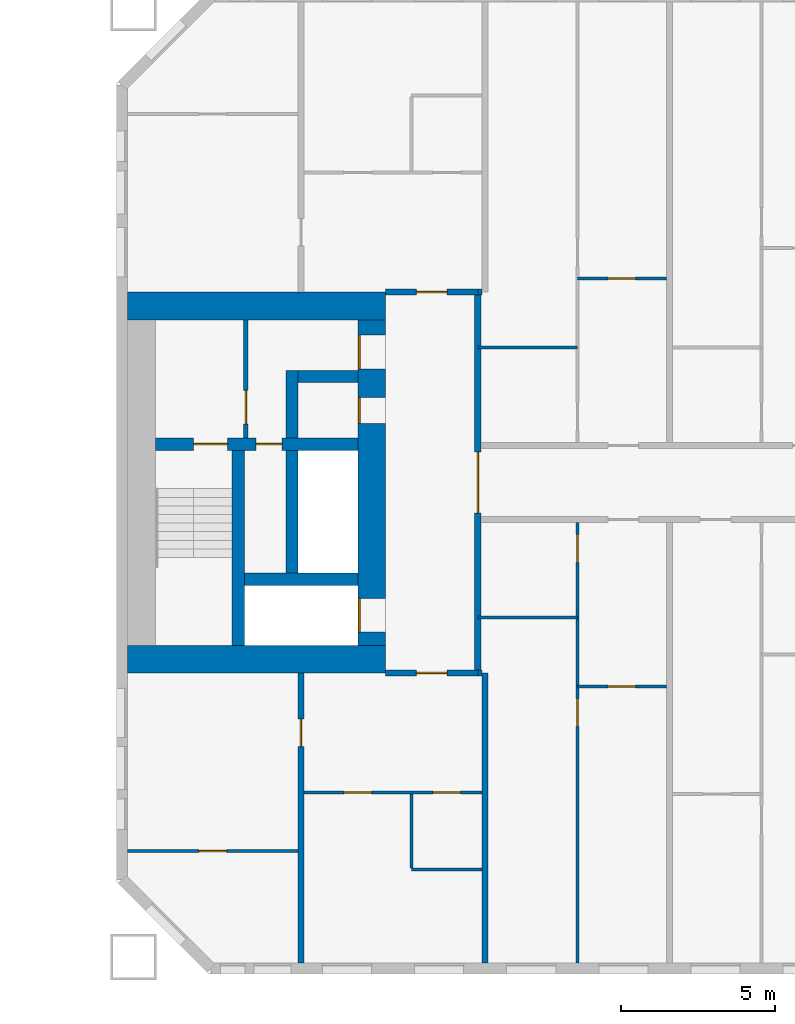
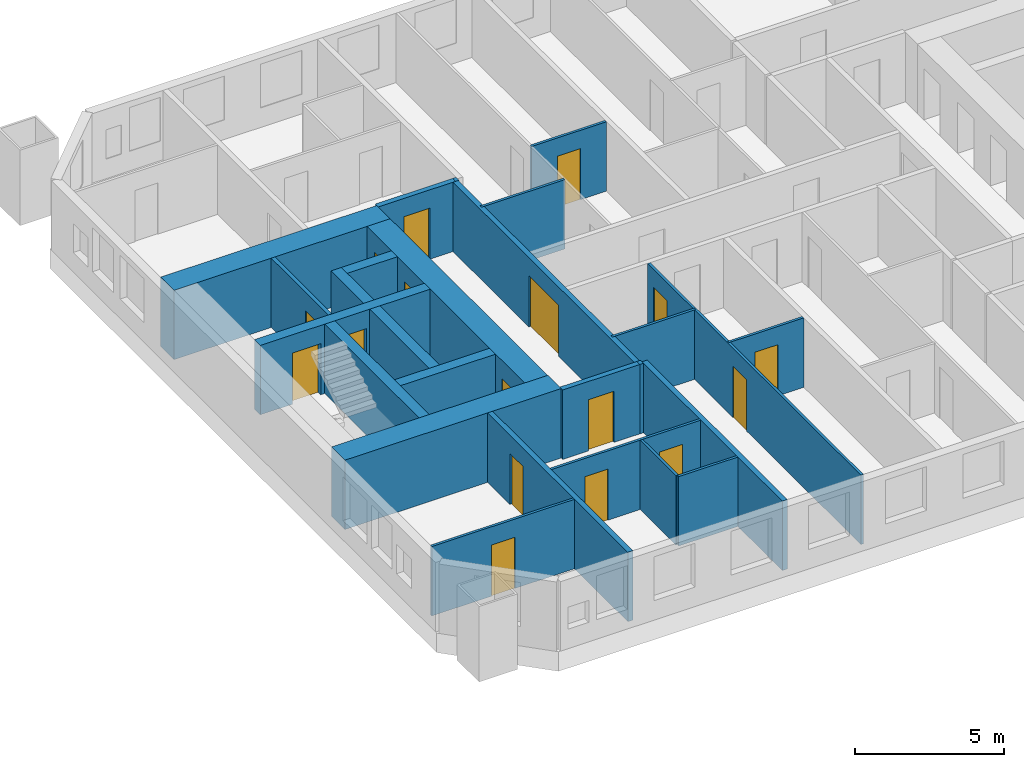
# One storey, part 9 of 16: 26 walls, 17 doors, 17 openings.
"""IFC4 building model written with IfcOpenShell, lengths in metres."""

from ifc_helpers import new_model, si_unit, direction, frame, frame_2d, origin, place, context, subcontext, project, spatial, rectangle, extrude, material, layer, layer_set, type_object, element, fill, save


model = new_model("IFC4")

# Units and contexts
model_context = context("Model", 3, precision=1e-05, world=origin(), true_north=direction((0.0, 1.0)))
body_context = subcontext(model_context, "Body", "Model", "MODEL_VIEW")
ifc_project = project(units=[si_unit("LENGTHUNIT", "METRE"), si_unit("AREAUNIT", "SQUARE_METRE"), si_unit("VOLUMEUNIT", "CUBIC_METRE"), si_unit("PLANEANGLEUNIT", "RADIAN"), si_unit("MASSUNIT", "GRAM", prefix="KILO")], contexts=[model_context])

# Site, building, storey
site_placement = place(None, origin())
site = spatial("IfcSite", under=ifc_project, at=site_placement, CompositionType="ELEMENT")
building_placement = place(site_placement, origin())
building = spatial("IfcBuilding", under=site, at=building_placement, Name="Tuart Gate Housing", CompositionType="ELEMENT")
storey_placement = place(building_placement, frame((0.0, 0.0, 19.5)))
storey = spatial("IfcBuildingStorey", under=building, at=storey_placement, Name="L04", CompositionType="ELEMENT", Elevation=19.5)

# Wall, opening, door
ifc_material_1 = material(Name="Plasterboard partition")
ifc_layer_1 = layer(ifc_material_1, 0.14990234375)
ifc_layer_set_1 = layer_set([ifc_layer_1], Name="Core partition 150")
wall_type_1 = type_object("IfcWallType", Name="Core partition 150", PredefinedType="PARTITIONING", material=ifc_layer_set_1)
wall_1_placement = place(storey_placement, frame((135.2099609375, 71.449951171875, 0.0), z_axis=(0.0, 0.0, 1.0), x_axis=(0.0, 1.0, 0.0)))
wall_1 = element("IfcWall", 1, at=wall_1_placement, inside=storey, type_object=wall_type_1, Name="Core partition BG.6", PredefinedType="PARTITIONING", context=body_context, shape_type="SweptSolid", body=[
    extrude(rectangle(XDim=3.85009765625, YDim=0.14990234375, at=frame_2d((1.925048828125, 0.0))), origin(), (0.0, 0.0, 1.0), 2.85009765625),
])
opening_1_placement = place(wall_1_placement, frame((0.449951171875, 0.0, 0.0)))
opening_1 = element("IfcOpeningElement", 2, at=opening_1_placement, cuts=wall_1, Name="Opening D429", PredefinedType="OPENING", context=body_context, shape_type="SweptSolid", body=[
    extrude(rectangle(XDim=1.10009765625, YDim=2.10009765625, at=frame_2d((0.550048828125, 1.050048828125))), frame((0.0, 0.0849609375, 0.0), z_axis=(0.0, -1.0, 0.0), x_axis=(1.0, 0.0, 0.0)), (0.0, 0.0, 1.0), 0.169921875),
])
ifc_material_2 = material(Name="Steel fire door", Category="steel")
door_type_1 = type_object("IfcDoorType", Name="Lobby door 1100 x 2100", OperationType="SINGLE_SWING_LEFT", PredefinedType="DOOR", material=ifc_material_2)
door_1_placement = place(opening_1_placement, origin())
door_1 = element("IfcDoor", 3, at=door_1_placement, inside=storey, type_object=door_type_1, Name="Smoke lobby door BG.KD", OperationType="SINGLE_SWING_LEFT", OverallHeight=2.10009765625, OverallWidth=1.10009765625, PredefinedType="DOOR", context=body_context, shape_type="SweptSolid", body=[
    extrude(rectangle(XDim=1.10009765625, YDim=2.10009765625, at=frame_2d((0.550048828125, 1.050048828125))), frame((0.0, 0.02490234375, 0.0), z_axis=(0.0, -1.0, 0.0), x_axis=(1.0, 0.0, 0.0)), (0.0, 0.0, 1.0), 0.050048828125),
])
fill(opening_1, door_1)

# Wall
ifc_material_3 = material(Name="Concrete C60", Category="concrete")
ifc_layer_2 = layer(ifc_material_3, 0.39990234375)
ifc_layer_set_2 = layer_set([ifc_layer_2], Name="Core wall 400 C60")
wall_type_2 = type_object("IfcWallType", Name="Core wall 400 C60", PredefinedType="SHEAR", material=ifc_layer_set_2)
wall_2_placement = place(storey_placement, frame((138.860107421875, 66.85009765625, 0.0), z_axis=(0.0, 0.0, 1.0), x_axis=(-1.0, 0.0, 0.0)))
element("IfcWall", 4, at=wall_2_placement, inside=storey, type_object=wall_type_2, Name="Core wall BG.1", PredefinedType="SHEAR", context=body_context, shape_type="SweptSolid", body=[
    extrude(rectangle(XDim=3.7001953125, YDim=0.39990234375, at=frame_2d((1.85009765625, 0.0))), origin(), (0.0, 0.0, 1.0), 2.85009765625),
])

# Wall, openings, doors
wall_3_placement = place(storey_placement, frame((138.860107421875, 71.25, 0.0), z_axis=(0.0, 0.0, 1.0), x_axis=(-1.0, 0.0, 0.0)))
wall_3 = element("IfcWall", 5, at=wall_3_placement, inside=storey, type_object=wall_type_2, Name="Core wall BG.2", PredefinedType="SHEAR", context=body_context, shape_type="SweptSolid", body=[
    extrude(rectangle(XDim=6.60009765625, YDim=0.39990234375, at=frame_2d((3.300048828125, 0.0))), origin(), (0.0, 0.0, 1.0), 2.85009765625),
])
opening_2_placement = place(wall_3_placement, frame((4.25, 0.0, 0.0)))
opening_2 = element("IfcOpeningElement", 6, at=opening_2_placement, cuts=wall_3, Name="Opening D431", PredefinedType="OPENING", context=body_context, shape_type="SweptSolid", body=[
    extrude(rectangle(XDim=1.10009765625, YDim=2.10009765625, at=frame_2d((0.550048828125, 1.050048828125))), frame((0.0, 0.2099609375, 0.0), z_axis=(0.0, -1.0, 0.0), x_axis=(1.0, 0.0, 0.0)), (0.0, 0.0, 1.0), 0.419921875),
])
opening_3_placement = place(wall_3_placement, frame((2.47509765625, 0.0, 0.0)))
opening_3 = element("IfcOpeningElement", 7, at=opening_3_placement, cuts=wall_3, Name="Opening D430", PredefinedType="OPENING", context=body_context, shape_type="SweptSolid", body=[
    extrude(rectangle(XDim=0.85009765625, YDim=2.10009765625, at=frame_2d((0.425048828125, 1.050048828125))), frame((0.0, 0.2099609375, 0.0), z_axis=(0.0, -1.0, 0.0), x_axis=(1.0, 0.0, 0.0)), (0.0, 0.0, 1.0), 0.419921875),
])
ifc_material_4 = material(Name="Steel fire door", Category="steel")
door_type_2 = type_object("IfcDoorType", Name="Riser door 850 x 2100", OperationType="SINGLE_SWING_LEFT", PredefinedType="DOOR", material=ifc_material_4)
door_2_placement = place(opening_3_placement, origin())
door_2 = element("IfcDoor", 8, at=door_2_placement, inside=storey, type_object=door_type_2, Name="Service room door BG.W1", OperationType="SINGLE_SWING_LEFT", OverallHeight=2.10009765625, OverallWidth=0.85009765625, PredefinedType="DOOR", context=body_context, shape_type="SweptSolid", body=[
    extrude(rectangle(XDim=0.85009765625, YDim=2.10009765625, at=frame_2d((0.425048828125, 1.050048828125))), frame((0.0, 0.02490234375, 0.0), z_axis=(0.0, -1.0, 0.0), x_axis=(1.0, 0.0, 0.0)), (0.0, 0.0, 1.0), 0.050048828125),
])
fill(opening_3, door_2)
ifc_material_5 = material(Name="Steel fire door", Category="steel")
door_type_3 = type_object("IfcDoorType", Name="Stair door 1100 x 2100", OperationType="SINGLE_SWING_LEFT", PredefinedType="DOOR", material=ifc_material_5)
door_3_placement = place(opening_2_placement, origin())
door_3 = element("IfcDoor", 9, at=door_3_placement, inside=storey, type_object=door_type_3, Name="Stair door BG.SD", OperationType="SINGLE_SWING_LEFT", OverallHeight=2.10009765625, OverallWidth=1.10009765625, PredefinedType="DOOR", context=body_context, shape_type="SweptSolid", body=[
    extrude(rectangle(XDim=1.10009765625, YDim=2.10009765625, at=frame_2d((0.550048828125, 1.050048828125))), frame((0.0, 0.02490234375, 0.0), z_axis=(0.0, -1.0, 0.0), x_axis=(1.0, 0.0, 0.0)), (0.0, 0.0, 1.0), 0.050048828125),
])
fill(opening_2, door_3)

# Walls
wall_4_placement = place(storey_placement, frame((138.860107421875, 73.449951171875, 0.0), z_axis=(0.0, 0.0, 1.0), x_axis=(-1.0, 0.0, 0.0)))
element("IfcWall", 10, at=wall_4_placement, inside=storey, type_object=wall_type_2, Name="Core wall BG.3", PredefinedType="SHEAR", context=body_context, shape_type="SweptSolid", body=[
    extrude(rectangle(XDim=1.9501953125, YDim=0.39990234375, at=frame_2d((0.97509765625, 0.0))), origin(), (0.0, 0.0, 1.0), 2.85009765625),
])
wall_5_placement = place(storey_placement, frame((136.7099609375, 67.050048828125, 0.0), z_axis=(0.0, 0.0, 1.0), x_axis=(0.0, 1.0, 0.0)))
element("IfcWall", 11, at=wall_5_placement, inside=storey, type_object=wall_type_2, Name="Core wall BG.4", PredefinedType="SHEAR", context=body_context, shape_type="SweptSolid", body=[
    extrude(rectangle(XDim=4.0, YDim=0.39990234375, at=frame_2d((2.0, 0.0))), origin(), (0.0, 0.0, 1.0), 2.85009765625),
])
wall_6_placement = place(storey_placement, frame((136.7099609375, 71.449951171875, 0.0), z_axis=(0.0, 0.0, 1.0), x_axis=(0.0, 1.0, 0.0)))
element("IfcWall", 12, at=wall_6_placement, inside=storey, type_object=wall_type_2, Name="Core wall BG.5", PredefinedType="SHEAR", context=body_context, shape_type="SweptSolid", body=[
    extrude(rectangle(XDim=2.199951171875, YDim=0.39990234375, at=frame_2d((1.10009765625, 0.0))), origin(), (0.0, 0.0, 1.0), 2.85009765625),
])
wall_7_placement = place(storey_placement, frame((134.9599609375, 64.699951171875, 0.0), z_axis=(0.0, 0.0, 1.0), x_axis=(0.0, 1.0, 0.0)))
element("IfcWall", 13, at=wall_7_placement, inside=storey, type_object=wall_type_2, Name="Core wall BG.7", PredefinedType="SHEAR", context=body_context, shape_type="SweptSolid", body=[
    extrude(rectangle(XDim=6.35009765625, YDim=0.39990234375, at=frame_2d((3.175048828125, 0.0))), origin(), (0.0, 0.0, 1.0), 2.85009765625),
])

# Wall, openings, doors
ifc_material_6 = material(Name="Concrete C60", Category="concrete")
ifc_layer_3 = layer(ifc_material_6, 0.89990234375)
ifc_layer_set_3 = layer_set([ifc_layer_3], Name="Core wall 900 C60")
wall_type_3 = type_object("IfcWallType", Name="Core wall 900 C60", PredefinedType="SHEAR", material=ifc_layer_set_3)
wall_8_placement = place(storey_placement, frame((139.31005859375, 64.699951171875, 0.0), z_axis=(0.0, 0.0, 1.0), x_axis=(0.0, 1.0, 0.0)))
wall_8 = element("IfcWall", 14, at=wall_8_placement, inside=storey, type_object=wall_type_3, Name="Core wall BG front", PredefinedType="SHEAR", context=body_context, shape_type="SweptSolid", body=[
    extrude(rectangle(XDim=10.60009765625, YDim=0.89990234375, at=frame_2d((5.300048828125, 0.0))), origin(), (0.0, 0.0, 1.0), 2.85009765625),
])
opening_4_placement = place(wall_8_placement, frame((0.425048828125, 0.0, 0.0)))
opening_4 = element("IfcOpeningElement", 15, at=opening_4_placement, cuts=wall_8, Name="Opening LD-FB1", PredefinedType="OPENING", context=body_context, shape_type="SweptSolid", body=[
    extrude(rectangle(XDim=1.10009765625, YDim=2.10009765625, at=frame_2d((0.550048828125, 1.050048828125))), frame((0.0, 0.4599609375, 0.0), z_axis=(0.0, -1.0, 0.0), x_axis=(1.0, 0.0, 0.0)), (0.0, 0.0, 1.0), 0.919921875),
])
opening_5_placement = place(wall_8_placement, frame((9.0, 0.0, 0.0)))
opening_5 = element("IfcOpeningElement", 16, at=opening_5_placement, cuts=wall_8, Name="Opening D435", PredefinedType="OPENING", context=body_context, shape_type="SweptSolid", body=[
    extrude(rectangle(XDim=1.10009765625, YDim=2.10009765625, at=frame_2d((0.550048828125, 1.050048828125))), frame((0.0, 0.4599609375, 0.0), z_axis=(0.0, -1.0, 0.0), x_axis=(1.0, 0.0, 0.0)), (0.0, 0.0, 1.0), 0.919921875),
])
opening_6_placement = place(wall_8_placement, frame((7.22509765625, 0.0, 0.0)))
opening_6 = element("IfcOpeningElement", 17, at=opening_6_placement, cuts=wall_8, Name="Opening D436", PredefinedType="OPENING", context=body_context, shape_type="SweptSolid", body=[
    extrude(rectangle(XDim=0.85009765625, YDim=2.10009765625, at=frame_2d((0.425048828125, 1.050048828125))), frame((0.0, 0.4599609375, 0.0), z_axis=(0.0, -1.0, 0.0), x_axis=(1.0, 0.0, 0.0)), (0.0, 0.0, 1.0), 0.919921875),
])
ifc_material_7 = material(Name="Stainless steel", Category="steel")
door_type_4 = type_object("IfcDoorType", Name="Landing door 1100 x 2100", OperationType="DOUBLE_DOOR_SLIDING", PredefinedType="DOOR", material=ifc_material_7)
door_4_placement = place(opening_4_placement, origin())
door_4 = element("IfcDoor", 18, at=door_4_placement, inside=storey, type_object=door_type_4, Name="Lift landing door FB1", OperationType="DOUBLE_DOOR_SLIDING", OverallHeight=2.10009765625, OverallWidth=1.10009765625, PredefinedType="DOOR", context=body_context, shape_type="SweptSolid", body=[
    extrude(rectangle(XDim=1.10009765625, YDim=2.10009765625, at=frame_2d((0.550048828125, 1.050048828125))), frame((0.0, 0.43505859375, 0.0), z_axis=(0.0, -1.0, 0.0), x_axis=(1.0, 0.0, 0.0)), (0.0, 0.0, 1.0), 0.050048828125),
])
fill(opening_4, door_4)
door_5_placement = place(opening_5_placement, origin())
door_5 = element("IfcDoor", 19, at=door_5_placement, inside=storey, type_object=door_type_1, Name="Lobby entry door BG.EN", OperationType="SINGLE_SWING_LEFT", OverallHeight=2.10009765625, OverallWidth=1.10009765625, PredefinedType="DOOR", context=body_context, shape_type="SweptSolid", body=[
    extrude(rectangle(XDim=1.10009765625, YDim=2.10009765625, at=frame_2d((0.550048828125, 1.050048828125))), frame((0.0, 0.43505859375, 0.0), z_axis=(0.0, -1.0, 0.0), x_axis=(1.0, 0.0, 0.0)), (0.0, 0.0, 1.0), 0.050048828125),
])
fill(opening_5, door_5)
ifc_material_8 = material(Name="Steel fire door", Category="steel")
door_type_5 = type_object("IfcDoorType", Name="Service door 850 x 2100", OperationType="SINGLE_SWING_LEFT", PredefinedType="DOOR", material=ifc_material_8)
door_6_placement = place(opening_6_placement, origin())
door_6 = element("IfcDoor", 20, at=door_6_placement, inside=storey, type_object=door_type_5, Name="Service room door BG.T1", OperationType="SINGLE_SWING_LEFT", OverallHeight=2.10009765625, OverallWidth=0.85009765625, PredefinedType="DOOR", context=body_context, shape_type="SweptSolid", body=[
    extrude(rectangle(XDim=0.85009765625, YDim=2.10009765625, at=frame_2d((0.425048828125, 1.050048828125))), frame((0.0, 0.43505859375, 0.0), z_axis=(0.0, -1.0, 0.0), x_axis=(1.0, 0.0, 0.0)), (0.0, 0.0, 1.0), 0.050048828125),
])
fill(opening_6, door_6)

# Walls
for number, where, z_axis, x_axis, name in (
    (21, (139.760009765625, 64.25, 0.0), (0.0, 0.0, 1.0), (-1.0, 0.0, 0.0), "Core wall BG south"),
    (22, (139.760009765625, 75.75, 0.0), (0.0, 0.0, 1.0), (-1.0, 0.0, 0.0), "Core wall BG north"),
):
    element("IfcWall", number, at=place(storey_placement, frame(where, z_axis=z_axis, x_axis=x_axis)), inside=storey, type_object=wall_type_3, Name=name, PredefinedType="SHEAR", context=body_context, shape_type="SweptSolid", body=[
        extrude(rectangle(XDim=8.39990234375, YDim=0.89990234375, at=frame_2d((4.199951171875, 0.0))), origin(), (0.0, 0.0, 1.0), 2.85009765625),
    ])

# Wall, opening, door
ifc_material_9 = material(Name="Concrete masonry 15 MPa", Category="masonry")
ifc_layer_4 = layer(ifc_material_9, 0.199951171875)
ifc_layer_set_4 = layer_set([ifc_layer_4], Name="Enclosure wall masonry 200")
wall_type_4 = type_object("IfcWallType", Name="Enclosure wall masonry 200", PredefinedType="PARTITIONING", material=ifc_layer_set_4)
wall_9_placement = place(storey_placement, frame((139.760009765625, 63.800048828125, 0.0), z_axis=(0.0, 0.0, 1.0), x_axis=(1.0, 0.0, 0.0)))
wall_9 = element("IfcWall", 23, at=wall_9_placement, inside=storey, type_object=wall_type_4, Name="Enclosure wall masonry 200", PredefinedType="PARTITIONING", context=body_context, shape_type="SweptSolid", body=[
    extrude(rectangle(XDim=3.0, YDim=0.199951171875, at=frame_2d((1.5, 0.0))), origin(), (0.0, 0.0, 1.0), 2.85009765625),
])
opening_7_placement = place(wall_9_placement, frame((1.0, 0.0, 0.0)))
opening_7 = element("IfcOpeningElement", 24, at=opening_7_placement, cuts=wall_9, Name="Opening D447", PredefinedType="OPENING", context=body_context, shape_type="SweptSolid", body=[
    extrude(rectangle(XDim=1.0, YDim=2.10009765625, at=frame_2d((0.5, 1.050048828125))), frame((0.0, 0.10986328125, 0.0), z_axis=(0.0, -1.0, 0.0), x_axis=(1.0, 0.0, 0.0)), (0.0, 0.0, 1.0), 0.219970703125),
])
ifc_material_10 = material(Name="Timber door leaf in steel frame", Category="steel")
door_type_6 = type_object("IfcDoorType", Name="Flat entrance door 1000", OperationType="SINGLE_SWING_LEFT", PredefinedType="DOOR", material=ifc_material_10)
door_7_placement = place(opening_7_placement, frame((1.0, 0.0, 0.0), z_axis=(0.0, 0.0, 1.0), x_axis=(-1.0, 0.0, 0.0)))
door_7 = element("IfcDoor", 25, at=door_7_placement, inside=storey, type_object=door_type_6, Name="Flat entrance door", OperationType="SINGLE_SWING_LEFT", OverallHeight=2.10009765625, OverallWidth=1.0, PredefinedType="DOOR", context=body_context, shape_type="SweptSolid", body=[
    extrude(rectangle(XDim=1.0, YDim=2.10009765625, at=frame_2d((0.5, 1.050048828125))), frame((0.0, 0.025146484375, 0.0), z_axis=(0.0, -1.0, 0.0), x_axis=(1.0, 0.0, 0.0)), (0.0, 0.0, 1.0), 0.050048828125),
])
fill(opening_7, door_7)

wall_10_placement = place(storey_placement, frame((139.760009765625, 76.199951171875, 0.0), z_axis=(0.0, 0.0, 1.0), x_axis=(1.0, 0.0, 0.0)))
wall_10 = element("IfcWall", 26, at=wall_10_placement, inside=storey, type_object=wall_type_4, Name="Enclosure wall masonry 200", PredefinedType="PARTITIONING", context=body_context, shape_type="SweptSolid", body=[
    extrude(rectangle(XDim=3.0, YDim=0.199951171875, at=frame_2d((1.5, 0.0))), origin(), (0.0, 0.0, 1.0), 2.85009765625),
])
opening_8_placement = place(wall_10_placement, frame((1.0, 0.0, 0.0)))
opening_8 = element("IfcOpeningElement", 27, at=opening_8_placement, cuts=wall_10, Name="Opening D426", PredefinedType="OPENING", context=body_context, shape_type="SweptSolid", body=[
    extrude(rectangle(XDim=1.0, YDim=2.10009765625, at=frame_2d((0.5, 1.050048828125))), frame((0.0, 0.10986328125, 0.0), z_axis=(0.0, -1.0, 0.0), x_axis=(1.0, 0.0, 0.0)), (0.0, 0.0, 1.0), 0.219970703125),
])
ifc_material_11 = material(Name="Timber door leaf in steel frame", Category="steel")
door_type_7 = type_object("IfcDoorType", Name="Flat entrance door 1000 RH", OperationType="SINGLE_SWING_RIGHT", PredefinedType="DOOR", material=ifc_material_11)
door_8_placement = place(opening_8_placement, origin())
door_8 = element("IfcDoor", 28, at=door_8_placement, inside=storey, type_object=door_type_7, Name="Flat entrance door", OperationType="SINGLE_SWING_RIGHT", OverallHeight=2.10009765625, OverallWidth=1.0, PredefinedType="DOOR", context=body_context, shape_type="SweptSolid", body=[
    extrude(rectangle(XDim=1.0, YDim=2.10009765625, at=frame_2d((0.5, 1.050048828125))), frame((0.0, 0.02490234375, 0.0), z_axis=(0.0, -1.0, 0.0), x_axis=(1.0, 0.0, 0.0)), (0.0, 0.0, 1.0), 0.050048828125),
])
fill(opening_8, door_8)

ifc_material_12 = material(Name="Plasterboard partition")
ifc_layer_5 = layer(ifc_material_12, 0.199951171875)
ifc_layer_set_5 = layer_set([ifc_layer_5], Name="Lobby wall 200")
wall_type_5 = type_object("IfcWallType", Name="Lobby wall 200", PredefinedType="PARTITIONING", material=ifc_layer_set_5)
wall_11_placement = place(storey_placement, frame((142.760009765625, 63.89990234375, 0.0), z_axis=(0.0, 0.0, 1.0), x_axis=(0.0, 1.0, 0.0)))
wall_11 = element("IfcWall", 29, at=wall_11_placement, inside=storey, type_object=wall_type_5, Name="Lift lobby wall BG", PredefinedType="PARTITIONING", context=body_context, shape_type="SweptSolid", body=[
    extrude(rectangle(XDim=12.2001953125, YDim=0.199951171875, at=frame_2d((6.10009765625, 0.0))), origin(), (0.0, 0.0, 1.0), 2.85009765625),
])
opening_9_placement = place(wall_11_placement, frame((5.10009765625, 0.0, 0.0)))
opening_9 = element("IfcOpeningElement", 30, at=opening_9_placement, cuts=wall_11, Name="Opening D437", PredefinedType="OPENING", context=body_context, shape_type="SweptSolid", body=[
    extrude(rectangle(XDim=2.0, YDim=2.10009765625, at=frame_2d((1.0, 1.050048828125))), frame((0.0, 0.10986328125, 0.0), z_axis=(0.0, -1.0, 0.0), x_axis=(1.0, 0.0, 0.0)), (0.0, 0.0, 1.0), 0.219970703125),
])
ifc_material_13 = material(Name="Steel fire door", Category="steel")
door_type_8 = type_object("IfcDoorType", Name="Smoke door 2000 x 2100", OperationType="DOUBLE_DOOR_SINGLE_SWING", PredefinedType="DOOR", material=ifc_material_13)
door_9_placement = place(opening_9_placement, origin())
door_9 = element("IfcDoor", 31, at=door_9_placement, inside=storey, type_object=door_type_8, Name="Lift lobby smoke door BG", OperationType="DOUBLE_DOOR_SINGLE_SWING", OverallHeight=2.10009765625, OverallWidth=2.0, PredefinedType="DOOR", context=body_context, shape_type="SweptSolid", body=[
    extrude(rectangle(XDim=2.0, YDim=2.10009765625, at=frame_2d((1.0, 1.050048828125))), frame((0.0, 0.02490234375, 0.0), z_axis=(0.0, -1.0, 0.0), x_axis=(1.0, 0.0, 0.0)), (0.0, 0.0, 1.0), 0.050048828125),
])
fill(opening_9, door_9)

# Wall
ifc_material_14 = material(Name="Gypsum board on steel studs", Category="steel")
ifc_layer_6 = layer(ifc_material_14, 0.10009765625)
ifc_layer_set_6 = layer_set([ifc_layer_6], Name="Partition 100")
wall_type_6 = type_object("IfcWallType", Name="Partition 100", PredefinedType="PARTITIONING", material=ifc_layer_set_6)
wall_12_placement = place(storey_placement, frame((140.60009765625, 57.39990234375, 0.0), z_axis=(0.0, 0.0, 1.0), x_axis=(1.0, 0.0, 0.0)))
element("IfcWall", 32, at=wall_12_placement, inside=storey, type_object=wall_type_6, Name="Partition 100", PredefinedType="PARTITIONING", context=body_context, shape_type="SweptSolid", body=[
    extrude(rectangle(XDim=2.2998046875, YDim=0.10009765625, at=frame_2d((1.14990234375, 0.0))), origin(), (0.0, 0.0, 1.0), 2.85009765625),
])

# Wall, opening, door
wall_13_placement = place(storey_placement, frame((131.360107421875, 58.0, 0.0), z_axis=(0.0, 0.0, 1.0), x_axis=(1.0, 0.0, 0.0)))
wall_13 = element("IfcWall", 33, at=wall_13_placement, inside=storey, type_object=wall_type_6, Name="Partition 100", PredefinedType="PARTITIONING", context=body_context, shape_type="SweptSolid", body=[
    extrude(rectangle(XDim=5.539794921875, YDim=0.10009765625, at=frame_2d((2.77001953125, 0.0))), origin(), (0.0, 0.0, 1.0), 2.85009765625),
])
opening_10_placement = place(wall_13_placement, frame((2.320068359375, 0.0, 0.0)))
opening_10 = element("IfcOpeningElement", 34, at=opening_10_placement, cuts=wall_13, Name="Opening D461", PredefinedType="OPENING", context=body_context, shape_type="SweptSolid", body=[
    extrude(rectangle(XDim=0.89990234375, YDim=2.10009765625, at=frame_2d((0.449951171875, 1.050048828125))), frame((0.0, 0.06005859375, 0.0), z_axis=(0.0, -1.0, 0.0), x_axis=(1.0, 0.0, 0.0)), (0.0, 0.0, 1.0), 0.1201171875),
])
ifc_material_15 = material(Name="Timber door leaf in steel frame", Category="steel")
door_type_9 = type_object("IfcDoorType", Name="Internal door 900 RH", OperationType="SINGLE_SWING_RIGHT", PredefinedType="DOOR", material=ifc_material_15)
door_10_placement = place(opening_10_placement, frame((0.89990234375, 0.0, 0.0), z_axis=(0.0, 0.0, 1.0), x_axis=(-1.0, 0.0, 0.0)))
door_10 = element("IfcDoor", 35, at=door_10_placement, inside=storey, type_object=door_type_9, Name="Internal door", OperationType="SINGLE_SWING_RIGHT", OverallHeight=2.10009765625, OverallWidth=0.89990234375, PredefinedType="DOOR", context=body_context, shape_type="SweptSolid", body=[
    extrude(rectangle(XDim=0.89990234375, YDim=2.10009765625, at=frame_2d((0.449951171875, 1.050048828125))), frame((0.0, 0.025146484375, 0.0), z_axis=(0.0, -1.0, 0.0), x_axis=(1.0, 0.0, 0.0)), (0.0, 0.0, 1.0), 0.050048828125),
])
fill(opening_10, door_10)

# Wall, openings, doors
wall_14_placement = place(storey_placement, frame((137.10009765625, 59.89990234375, 0.0), z_axis=(0.0, 0.0, 1.0), x_axis=(1.0, 0.0, 0.0)))
wall_14 = element("IfcWall", 36, at=wall_14_placement, inside=storey, type_object=wall_type_6, Name="Partition 100", PredefinedType="PARTITIONING", context=body_context, shape_type="SweptSolid", body=[
    extrude(rectangle(XDim=5.7998046875, YDim=0.10009765625, at=frame_2d((2.89990234375, 0.0))), origin(), (0.0, 0.0, 1.0), 2.85009765625),
])
opening_11_placement = place(wall_14_placement, frame((1.300048828125, 0.0, 0.0)))
opening_11 = element("IfcOpeningElement", 37, at=opening_11_placement, cuts=wall_14, Name="Opening D458", PredefinedType="OPENING", context=body_context, shape_type="SweptSolid", body=[
    extrude(rectangle(XDim=0.89990234375, YDim=2.10009765625, at=frame_2d((0.449951171875, 1.050048828125))), frame((0.0, 0.06005859375, 0.0), z_axis=(0.0, -1.0, 0.0), x_axis=(1.0, 0.0, 0.0)), (0.0, 0.0, 1.0), 0.1201171875),
])
opening_12_placement = place(wall_14_placement, frame((4.199951171875, 0.0, 0.0)))
opening_12 = element("IfcOpeningElement", 38, at=opening_12_placement, cuts=wall_14, Name="Opening D457", PredefinedType="OPENING", context=body_context, shape_type="SweptSolid", body=[
    extrude(rectangle(XDim=0.89990234375, YDim=2.10009765625, at=frame_2d((0.449951171875, 1.050048828125))), frame((0.0, 0.06005859375, 0.0), z_axis=(0.0, -1.0, 0.0), x_axis=(1.0, 0.0, 0.0)), (0.0, 0.0, 1.0), 0.1201171875),
])
ifc_material_16 = material(Name="Timber door leaf in steel frame", Category="steel")
door_type_10 = type_object("IfcDoorType", Name="Bathroom door 900 RH", OperationType="SINGLE_SWING_RIGHT", PredefinedType="DOOR", material=ifc_material_16)
door_11_placement = place(opening_12_placement, frame((0.89990234375, 0.0, 0.0), z_axis=(0.0, 0.0, 1.0), x_axis=(-1.0, 0.0, 0.0)))
door_11 = element("IfcDoor", 39, at=door_11_placement, inside=storey, type_object=door_type_10, Name="Bathroom door", OperationType="SINGLE_SWING_RIGHT", OverallHeight=2.10009765625, OverallWidth=0.89990234375, PredefinedType="DOOR", context=body_context, shape_type="SweptSolid", body=[
    extrude(rectangle(XDim=0.89990234375, YDim=2.10009765625, at=frame_2d((0.449951171875, 1.050048828125))), frame((0.0, 0.025146484375, 0.0), z_axis=(0.0, -1.0, 0.0), x_axis=(1.0, 0.0, 0.0)), (0.0, 0.0, 1.0), 0.050048828125),
])
fill(opening_12, door_11)
ifc_material_17 = material(Name="Timber door leaf in steel frame", Category="steel")
door_type_11 = type_object("IfcDoorType", Name="Internal door 900", OperationType="SINGLE_SWING_LEFT", PredefinedType="DOOR", material=ifc_material_17)
door_12_placement = place(opening_11_placement, frame((0.89990234375, 0.0, 0.0), z_axis=(0.0, 0.0, 1.0), x_axis=(-1.0, 0.0, 0.0)))
door_12 = element("IfcDoor", 40, at=door_12_placement, inside=storey, type_object=door_type_11, Name="Internal door", OperationType="SINGLE_SWING_LEFT", OverallHeight=2.10009765625, OverallWidth=0.89990234375, PredefinedType="DOOR", context=body_context, shape_type="SweptSolid", body=[
    extrude(rectangle(XDim=0.89990234375, YDim=2.10009765625, at=frame_2d((0.449951171875, 1.050048828125))), frame((0.0, 0.025146484375, 0.0), z_axis=(0.0, -1.0, 0.0), x_axis=(1.0, 0.0, 0.0)), (0.0, 0.0, 1.0), 0.050048828125),
])
fill(opening_11, door_12)

# Wall, opening, door
wall_15_placement = place(storey_placement, frame((146.0, 63.360107421875, 0.0), z_axis=(0.0, 0.0, 1.0), x_axis=(1.0, 0.0, 0.0)))
wall_15 = element("IfcWall", 41, at=wall_15_placement, inside=storey, type_object=wall_type_6, Name="Partition 100", PredefinedType="PARTITIONING", context=body_context, shape_type="SweptSolid", body=[
    extrude(rectangle(XDim=2.89990234375, YDim=0.10009765625, at=frame_2d((1.449951171875, 0.0))), origin(), (0.0, 0.0, 1.0), 2.85009765625),
])
opening_13_placement = place(wall_15_placement, frame((1.0, 0.0, 0.0)))
opening_13 = element("IfcOpeningElement", 42, at=opening_13_placement, cuts=wall_15, Name="Opening D450", PredefinedType="OPENING", context=body_context, shape_type="SweptSolid", body=[
    extrude(rectangle(XDim=0.89990234375, YDim=2.10009765625, at=frame_2d((0.449951171875, 1.050048828125))), frame((0.0, 0.06005859375, 0.0), z_axis=(0.0, -1.0, 0.0), x_axis=(1.0, 0.0, 0.0)), (0.0, 0.0, 1.0), 0.1201171875),
])
door_13_placement = place(opening_13_placement, origin())
door_13 = element("IfcDoor", 43, at=door_13_placement, inside=storey, type_object=door_type_11, Name="Internal door", OperationType="SINGLE_SWING_LEFT", OverallHeight=2.10009765625, OverallWidth=0.89990234375, PredefinedType="DOOR", context=body_context, shape_type="SweptSolid", body=[
    extrude(rectangle(XDim=0.89990234375, YDim=2.10009765625, at=frame_2d((0.449951171875, 1.050048828125))), frame((0.0, 0.02490234375, 0.0), z_axis=(0.0, -1.0, 0.0), x_axis=(1.0, 0.0, 0.0)), (0.0, 0.0, 1.0), 0.050048828125),
])
fill(opening_13, door_13)

# Walls
for number, where, z_axis, x_axis, name in (
    (44, (142.760009765625, 65.60009765625, 0.0), (0.0, 0.0, 1.0), (1.0, 0.0, 0.0), "Partition 100"),
    (45, (142.760009765625, 74.39990234375, 0.0), (0.0, 0.0, 1.0), (1.0, 0.0, 0.0), "Partition 100"),
):
    element("IfcWall", number, at=place(storey_placement, frame(where, z_axis=z_axis, x_axis=x_axis)), inside=storey, type_object=wall_type_6, Name=name, PredefinedType="PARTITIONING", context=body_context, shape_type="SweptSolid", body=[
        extrude(rectangle(XDim=3.239990234375, YDim=0.10009765625, at=frame_2d((1.6201171875, 0.0))), origin(), (0.0, 0.0, 1.0), 2.85009765625),
    ])

# Wall, opening, door
wall_16_placement = place(storey_placement, frame((146.0, 76.639892578125, 0.0), z_axis=(0.0, 0.0, 1.0), x_axis=(1.0, 0.0, 0.0)))
wall_16 = element("IfcWall", 46, at=wall_16_placement, inside=storey, type_object=wall_type_6, Name="Partition 100", PredefinedType="PARTITIONING", context=body_context, shape_type="SweptSolid", body=[
    extrude(rectangle(XDim=2.89990234375, YDim=0.10009765625, at=frame_2d((1.449951171875, 0.0))), origin(), (0.0, 0.0, 1.0), 2.85009765625),
])
opening_14_placement = place(wall_16_placement, frame((1.0, 0.0, 0.0)))
opening_14 = element("IfcOpeningElement", 47, at=opening_14_placement, cuts=wall_16, Name="Opening D425", PredefinedType="OPENING", context=body_context, shape_type="SweptSolid", body=[
    extrude(rectangle(XDim=0.89990234375, YDim=2.10009765625, at=frame_2d((0.449951171875, 1.050048828125))), frame((0.0, 0.06005859375, 0.0), z_axis=(0.0, -1.0, 0.0), x_axis=(1.0, 0.0, 0.0)), (0.0, 0.0, 1.0), 0.1201171875),
])
door_14_placement = place(opening_14_placement, frame((0.89990234375, 0.0, 0.0), z_axis=(0.0, 0.0, 1.0), x_axis=(-1.0, 0.0, 0.0)))
door_14 = element("IfcDoor", 48, at=door_14_placement, inside=storey, type_object=door_type_9, Name="Internal door", OperationType="SINGLE_SWING_RIGHT", OverallHeight=2.10009765625, OverallWidth=0.89990234375, PredefinedType="DOOR", context=body_context, shape_type="SweptSolid", body=[
    extrude(rectangle(XDim=0.89990234375, YDim=2.10009765625, at=frame_2d((0.449951171875, 1.050048828125))), frame((0.0, 0.025146484375, 0.0), z_axis=(0.0, -1.0, 0.0), x_axis=(1.0, 0.0, 0.0)), (0.0, 0.0, 1.0), 0.050048828125),
])
fill(opening_14, door_14)

# Wall
wall_17_placement = place(storey_placement, frame((140.60009765625, 57.449951171875, 0.0), z_axis=(0.0, 0.0, 1.0), x_axis=(0.0, 1.0, 0.0)))
element("IfcWall", 49, at=wall_17_placement, inside=storey, type_object=wall_type_6, Name="Partition 100", PredefinedType="PARTITIONING", context=body_context, shape_type="SweptSolid", body=[
    extrude(rectangle(XDim=2.400146484375, YDim=0.10009765625, at=frame_2d((1.2001953125, 0.0))), origin(), (0.0, 0.0, 1.0), 2.85009765625),
])

# Wall, openings, doors
wall_18_placement = place(storey_placement, frame((146.0, 54.360107421875, 0.0), z_axis=(0.0, 0.0, 1.0), x_axis=(0.0, 1.0, 0.0)))
wall_18 = element("IfcWall", 50, at=wall_18_placement, inside=storey, type_object=wall_type_6, Name="Partition 100", PredefinedType="PARTITIONING", context=body_context, shape_type="SweptSolid", body=[
    extrude(rectangle(XDim=14.33984375, YDim=0.10009765625, at=frame_2d((7.169921875, 0.0))), origin(), (0.0, 0.0, 1.0), 2.85009765625),
])
opening_15_placement = place(wall_18_placement, frame((7.699951171875, 0.0, 0.0)))
opening_15 = element("IfcOpeningElement", 51, at=opening_15_placement, cuts=wall_18, Name="Opening D452", PredefinedType="OPENING", context=body_context, shape_type="SweptSolid", body=[
    extrude(rectangle(XDim=0.89990234375, YDim=2.10009765625, at=frame_2d((0.449951171875, 1.050048828125))), frame((0.0, 0.06005859375, 0.0), z_axis=(0.0, -1.0, 0.0), x_axis=(1.0, 0.0, 0.0)), (0.0, 0.0, 1.0), 0.1201171875),
])
opening_16_placement = place(wall_18_placement, frame((13.0400390625, 0.0, 0.0)))
opening_16 = element("IfcOpeningElement", 52, at=opening_16_placement, cuts=wall_18, Name="Opening D451", PredefinedType="OPENING", context=body_context, shape_type="SweptSolid", body=[
    extrude(rectangle(XDim=0.89990234375, YDim=2.10009765625, at=frame_2d((0.449951171875, 1.050048828125))), frame((0.0, 0.06005859375, 0.0), z_axis=(0.0, -1.0, 0.0), x_axis=(1.0, 0.0, 0.0)), (0.0, 0.0, 1.0), 0.1201171875),
])
door_15_placement = place(opening_16_placement, origin())
door_15 = element("IfcDoor", 53, at=door_15_placement, inside=storey, type_object=door_type_10, Name="Bathroom door", OperationType="SINGLE_SWING_RIGHT", OverallHeight=2.10009765625, OverallWidth=0.89990234375, PredefinedType="DOOR", context=body_context, shape_type="SweptSolid", body=[
    extrude(rectangle(XDim=0.89990234375, YDim=2.10009765625, at=frame_2d((0.449951171875, 1.050048828125))), frame((0.0, 0.02490234375, 0.0), z_axis=(0.0, -1.0, 0.0), x_axis=(1.0, 0.0, 0.0)), (0.0, 0.0, 1.0), 0.050048828125),
])
fill(opening_16, door_15)
door_16_placement = place(opening_15_placement, origin())
door_16 = element("IfcDoor", 54, at=door_16_placement, inside=storey, type_object=door_type_9, Name="Internal door", OperationType="SINGLE_SWING_RIGHT", OverallHeight=2.10009765625, OverallWidth=0.89990234375, PredefinedType="DOOR", context=body_context, shape_type="SweptSolid", body=[
    extrude(rectangle(XDim=0.89990234375, YDim=2.10009765625, at=frame_2d((0.449951171875, 1.050048828125))), frame((0.0, 0.02490234375, 0.0), z_axis=(0.0, -1.0, 0.0), x_axis=(1.0, 0.0, 0.0)), (0.0, 0.0, 1.0), 0.050048828125),
])
fill(opening_15, door_16)

# Wall, opening, door
ifc_material_18 = material(Name="Concrete C40", Category="concrete")
ifc_layer_7 = layer(ifc_material_18, 0.199951171875)
ifc_layer_set_7 = layer_set([ifc_layer_7], Name="Party wall concrete C40 200")
wall_type_7 = type_object("IfcWallType", Name="Party wall concrete C40 200", PredefinedType="SOLIDWALL", material=ifc_layer_set_7)
wall_19_placement = place(storey_placement, frame((137.0, 54.360107421875, 0.0), z_axis=(0.0, 0.0, 1.0), x_axis=(0.0, 1.0, 0.0)))
wall_19 = element("IfcWall", 55, at=wall_19_placement, inside=storey, type_object=wall_type_7, Name="Party wall concrete C40 200", PredefinedType="SOLIDWALL", context=body_context, shape_type="SweptSolid", body=[
    extrude(rectangle(XDim=9.43994140625, YDim=0.199951171875, at=frame_2d((4.719970703125, 0.0))), origin(), (0.0, 0.0, 1.0), 2.85009765625),
])
opening_17_placement = place(wall_19_placement, frame((7.0400390625, 0.0, 0.0)))
opening_17 = element("IfcOpeningElement", 56, at=opening_17_placement, cuts=wall_19, Name="Opening D460", PredefinedType="OPENING", context=body_context, shape_type="SweptSolid", body=[
    extrude(rectangle(XDim=0.89990234375, YDim=2.10009765625, at=frame_2d((0.449951171875, 1.050048828125))), frame((0.0, 0.10986328125, 0.0), z_axis=(0.0, -1.0, 0.0), x_axis=(1.0, 0.0, 0.0)), (0.0, 0.0, 1.0), 0.219970703125),
])
door_17_placement = place(opening_17_placement, frame((0.89990234375, 0.0, 0.0), z_axis=(0.0, 0.0, 1.0), x_axis=(-1.0, 0.0, 0.0)))
door_17 = element("IfcDoor", 57, at=door_17_placement, inside=storey, type_object=door_type_9, Name="Internal door", OperationType="SINGLE_SWING_RIGHT", OverallHeight=2.10009765625, OverallWidth=0.89990234375, PredefinedType="DOOR", context=body_context, shape_type="SweptSolid", body=[
    extrude(rectangle(XDim=0.89990234375, YDim=2.10009765625, at=frame_2d((0.449951171875, 1.050048828125))), frame((0.0, 0.025146484375, 0.0), z_axis=(0.0, -1.0, 0.0), x_axis=(1.0, 0.0, 0.0)), (0.0, 0.0, 1.0), 0.050048828125),
])
fill(opening_17, door_17)

# Walls
wall_20_placement = place(storey_placement, frame((143.0, 54.360107421875, 0.0), z_axis=(0.0, 0.0, 1.0), x_axis=(0.0, 1.0, 0.0)))
element("IfcWall", 58, at=wall_20_placement, inside=storey, type_object=wall_type_7, Name="Party wall concrete C40 200", PredefinedType="SOLIDWALL", context=body_context, shape_type="SweptSolid", body=[
    extrude(rectangle(XDim=9.43994140625, YDim=0.199951171875, at=frame_2d((4.719970703125, 0.0))), origin(), (0.0, 0.0, 1.0), 2.85009765625),
])
ifc_material_19 = material(Name="Concrete masonry 15 MPa", Category="masonry")
ifc_layer_8 = layer(ifc_material_19, 0.199951171875)
ifc_layer_set_8 = layer_set([ifc_layer_8], Name="Party wall masonry 200")
wall_type_8 = type_object("IfcWallType", Name="Party wall masonry 200", PredefinedType="PARTITIONING", material=ifc_layer_set_8)
for number, where, z_axis, x_axis, name in (
    (59, (142.760009765625, 63.800048828125, 0.0), (0.0, 0.0, 1.0), (1.0, 0.0, 0.0), "Party wall masonry 200"),
    (60, (142.760009765625, 76.199951171875, 0.0), (0.0, 0.0, 1.0), (1.0, 0.0, 0.0), "Party wall masonry 200"),
):
    element("IfcWall", number, at=place(storey_placement, frame(where, z_axis=z_axis, x_axis=x_axis)), inside=storey, type_object=wall_type_8, Name=name, PredefinedType="PARTITIONING", context=body_context, shape_type="SweptSolid", body=[
        extrude(rectangle(XDim=0.139892578125, YDim=0.199951171875, at=frame_2d((0.06982421875, 0.0))), origin(), (0.0, 0.0, 1.0), 2.85009765625),
    ])

save(model, "model.ifc")
